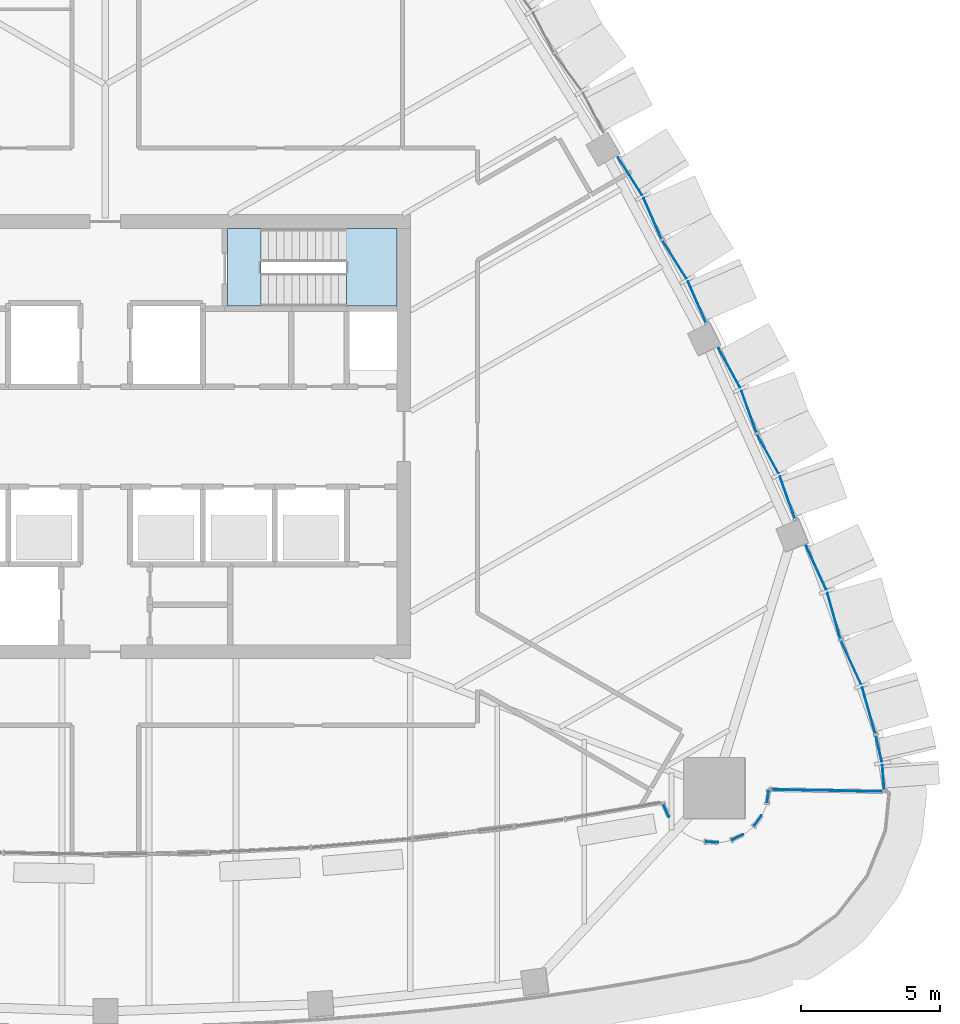
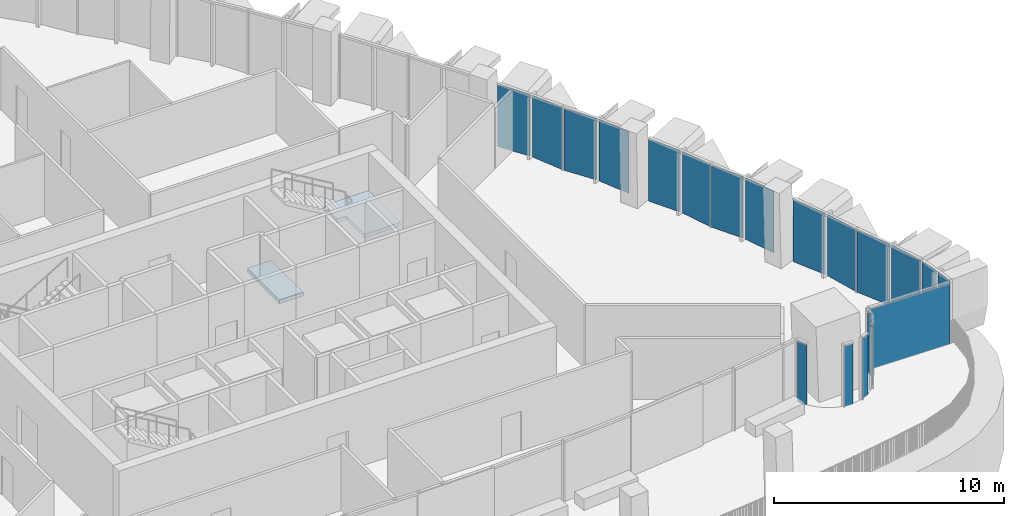
# One storey, part 11 of 22: 20 plates, 2 slabs, 11 elements without a shape of their own.
"""IFC4 building model written with IfcOpenShell, lengths in metres."""

from ifc_helpers import new_model, si_unit, direction, frame, origin, origin_2d, place, context, subcontext, project, spatial, polyline, rectangle, outline, extrude, material, layer, layer_set, type_object, element, aggregate, save


model = new_model("IFC4")

# Units and contexts
model_context = context("Model", 3, precision=1e-05, world=origin(), true_north=direction((0.0, 1.0)))
body_context = subcontext(model_context, "Body", "Model", "MODEL_VIEW")
ifc_project = project(units=[si_unit("LENGTHUNIT", "METRE"), si_unit("AREAUNIT", "SQUARE_METRE"), si_unit("VOLUMEUNIT", "CUBIC_METRE"), si_unit("PLANEANGLEUNIT", "RADIAN"), si_unit("MASSUNIT", "GRAM", prefix="KILO")], contexts=[model_context])

# Site, building, storey
site_placement = place(None, origin())
site = spatial("IfcSite", under=ifc_project, at=site_placement, CompositionType="ELEMENT")
building_placement = place(site_placement, origin())
building = spatial("IfcBuilding", under=site, at=building_placement, Name="Sierra Prisma Convention Tower", CompositionType="ELEMENT")
storey_placement = place(building_placement, frame((0.0, 0.0, 243.0)))
storey = spatial("IfcBuildingStorey", under=building, at=storey_placement, Name="L54", CompositionType="ELEMENT", Elevation=243.0)

# Curtain wall, plates
ifc_material_1 = material(Name="Aluminium and glass curtain wall", Category="aluminium")
ifc_layer_1 = layer(ifc_material_1, 0.179931640625)
ifc_layer_set_1 = layer_set([ifc_layer_1], Name="CW-2 Faceted crystal curtain wall")
curtain_wall_type_1 = type_object("IfcCurtainWallType", Name="CW-2 Faceted crystal curtain wall", PredefinedType="NOTDEFINED", material=ifc_layer_set_1)
curtain_wall_1_placement = place(storey_placement, origin())
curtain_wall_1 = element("IfcCurtainWall", 1, at=curtain_wall_1_placement, inside=storey, type_object=curtain_wall_type_1, Name="CW-2 SE5 L54", PredefinedType="NOTDEFINED")
ifc_material_2 = material(Name="Tinted glass bronze-grey IGU", Category="glass")
ifc_layer_2 = layer(ifc_material_2, 0.028076171875)
ifc_layer_set_2 = layer_set([ifc_layer_2], Name="CW-2 crystal pane")
plate_type_1 = type_object("IfcPlateType", Name="CW-2 crystal pane", PredefinedType="CURTAIN_PANEL", material=ifc_layer_set_2)
plate_1_placement = place(storey_placement, frame((28.067626953125, -12.719482421875, 0.0), z_axis=(0.997419754667, 0.07179020128, 0.0), x_axis=(-0.07179020128, 0.997419754667, 0.0)))
plate_1 = element("IfcPlate", 2, at=plate_1_placement, type_object=plate_type_1, Name="CW-2 pane SE5.1.1", PredefinedType="CURTAIN_PANEL", context=body_context, shape_type="SweptSolid", body=[
    extrude(outline(polyline([(0.0, 0.0), (0.8943976090064018, 0.0), (0.8943976090064018, 3.280029296875), (0.0, 3.280029296875), (0.0, 0.0)])), origin(), (0.0, 0.0, -1.0), 0.028076171875),
])
plate_2_placement = place(storey_placement, frame((27.78125, -10.828125, 0.0), z_axis=(0.973933746598, 0.226832663515, 0.0), x_axis=(0.226832663515, -0.973933746598, 0.0)))
plate_2 = element("IfcPlate", 3, at=plate_2_placement, type_object=plate_type_1, Name="CW-2 pane SE5.1.2", PredefinedType="CURTAIN_PANEL", context=body_context, shape_type="SweptSolid", body=[
    extrude(outline(polyline([(0.0, 0.0), (0.8944076052839673, 0.0), (0.8944076052839673, -3.2800292968749996), (0.0, -3.2800292968749996), (0.0, 0.0)])), origin(), (0.0, 0.0, -1.0), 0.028076171875),
])
aggregate(curtain_wall_1, [plate_1, plate_2])

curtain_wall_2_placement = place(storey_placement, origin())
curtain_wall_2 = element("IfcCurtainWall", 4, at=curtain_wall_2_placement, inside=storey, type_object=curtain_wall_type_1, Name="CW-2 NE1 L54", PredefinedType="NOTDEFINED")
plate_3_placement = place(storey_placement, frame((27.74658203125, -10.693359375, 0.0), z_axis=(0.962612831754, 0.270881036884, 0.0), x_axis=(-0.270881036884, 0.962612831754, 0.0)))
plate_3 = element("IfcPlate", 5, at=plate_3_placement, type_object=plate_type_1, Name="CW-2 pane NE1.1.1", PredefinedType="CURTAIN_PANEL", context=body_context, shape_type="SweptSolid", body=[
    extrude(outline(polyline([(0.0, 0.0), (1.7223528813290765, 0.0), (1.7223528813290765, 3.280029296875001), (0.0, 3.280029296875001), (0.0, 0.0)])), origin(), (0.0, 0.0, -1.0), 0.028076171875),
])
plate_4_placement = place(storey_placement, frame((26.514892578125, -7.349365234375, 0.0), z_axis=(0.908365551734, 0.418177025221, 0.0), x_axis=(0.418177025221, -0.908365551734, 0.0)))
plate_4 = element("IfcPlate", 6, at=plate_4_placement, type_object=plate_type_1, Name="CW-2 pane NE1.1.2", PredefinedType="CURTAIN_PANEL", context=body_context, shape_type="SweptSolid", body=[
    extrude(outline(polyline([(0.0, 0.0), (1.7222726269322473, 0.0), (1.7222726269322473, -3.280029296875), (0.0, -3.280029296875), (0.0, 0.0)])), origin(), (0.0, 0.0, -1.0), 0.028076171875),
])
plate_5_placement = place(storey_placement, frame((26.49072265625, -7.28369140625, 0.0), z_axis=(0.962612831754, 0.270881036884, 0.0), x_axis=(-0.270881036884, 0.962612831754, 0.0)))
plate_5 = element("IfcPlate", 7, at=plate_5_placement, type_object=plate_type_1, Name="CW-2 pane NE1.2.1", PredefinedType="CURTAIN_PANEL", context=body_context, shape_type="SweptSolid", body=[
    extrude(outline(polyline([(0.0, 0.0), (1.7223528813290765, 0.0), (1.7223528813290765, 3.280029296875001), (0.0, 3.280029296875001), (0.0, 0.0)])), origin(), (0.0, 0.0, -1.0), 0.028076171875),
])
plate_6_placement = place(storey_placement, frame((25.25927734375, -3.939697265625, 0.0), z_axis=(0.908365551734, 0.418177025221, 0.0), x_axis=(0.418177025221, -0.908365551734, 0.0)))
plate_6 = element("IfcPlate", 8, at=plate_6_placement, type_object=plate_type_1, Name="CW-2 pane NE1.2.2", PredefinedType="CURTAIN_PANEL", context=body_context, shape_type="SweptSolid", body=[
    extrude(outline(polyline([(0.0, 0.0), (1.7222726269322473, 0.0), (1.7222726269322473, -3.280029296875), (0.0, -3.280029296875), (0.0, 0.0)])), origin(), (0.0, 0.0, -1.0), 0.028076171875),
])
aggregate(curtain_wall_2, [plate_3, plate_4, plate_5, plate_6])

curtain_wall_3_placement = place(storey_placement, origin())
curtain_wall_3 = element("IfcCurtainWall", 9, at=curtain_wall_3_placement, inside=storey, type_object=curtain_wall_type_1, Name="CW-2 NE2 L54", PredefinedType="NOTDEFINED")
plate_7_placement = place(storey_placement, frame((24.848876953125, -2.93701171875, 0.0), z_axis=(0.941893880201, 0.335910581019, 0.0), x_axis=(-0.335910581019, 0.941893880201, 0.0)))
plate_7 = element("IfcPlate", 10, at=plate_7_placement, type_object=plate_type_1, Name="CW-2 pane NE2.1.1", PredefinedType="CURTAIN_PANEL", context=body_context, shape_type="SweptSolid", body=[
    extrude(outline(polyline([(0.0, 0.0), (1.598238533441925, 0.0), (1.598238533441925, 3.280029296875), (0.0, 3.280029296875), (0.0, 0.0)])), origin(), (0.0, 0.0, -1.0), 0.028076171875),
])
plate_8_placement = place(storey_placement, frame((23.492919921875, 0.08984375, 0.0), z_axis=(0.877685375964, 0.479237290722, 0.0), x_axis=(0.479237290722, -0.877685375964, 0.0)))
plate_8 = element("IfcPlate", 11, at=plate_8_placement, type_object=plate_type_1, Name="CW-2 pane NE2.1.2", PredefinedType="CURTAIN_PANEL", context=body_context, shape_type="SweptSolid", body=[
    extrude(outline(polyline([(0.0, 0.0), (1.598609490710926, 0.0), (1.598609490710926, -3.280029296875), (0.0, -3.280029296875), (0.0, 0.0)])), origin(), (0.0, 0.0, -1.0), 0.028076171875),
])
plate_9_placement = place(storey_placement, frame((23.46435546875, 0.153564453125, 0.0), z_axis=(0.941911112852, 0.335862256715, 0.0), x_axis=(-0.335862256715, 0.941911112852, 0.0)))
plate_9 = element("IfcPlate", 12, at=plate_9_placement, type_object=plate_type_1, Name="CW-2 pane NE2.2.1", PredefinedType="CURTAIN_PANEL", context=body_context, shape_type="SweptSolid", body=[
    extrude(outline(polyline([(0.0, 0.0), (1.5984684901062673, 0.0), (1.5984684901062673, 3.280029296875), (0.0, 3.280029296875), (0.0, 0.0)])), origin(), (0.0, 0.0, -1.0), 0.028076171875),
])
plate_10_placement = place(storey_placement, frame((22.1083984375, 3.180419921875, 0.0), z_axis=(0.877685375964, 0.479237290722, 0.0), x_axis=(0.479237290722, -0.877685375964, 0.0)))
plate_10 = element("IfcPlate", 13, at=plate_10_placement, type_object=plate_type_1, Name="CW-2 pane NE2.2.2", PredefinedType="CURTAIN_PANEL", context=body_context, shape_type="SweptSolid", body=[
    extrude(outline(polyline([(0.0, 0.0), (1.598609490710926, 0.0), (1.598609490710926, -3.280029296875), (0.0, -3.280029296875), (0.0, 0.0)])), origin(), (0.0, 0.0, -1.0), 0.028076171875),
])
aggregate(curtain_wall_3, [plate_7, plate_8, plate_9, plate_10])

curtain_wall_4_placement = place(storey_placement, origin())
curtain_wall_4 = element("IfcCurtainWall", 14, at=curtain_wall_4_placement, inside=storey, type_object=curtain_wall_type_1, Name="CW-2 NE3 L54", PredefinedType="NOTDEFINED")
plate_11_placement = place(storey_placement, frame((21.645751953125, 4.12451171875, 0.0), z_axis=(0.916770177759, 0.399415123865, 0.0), x_axis=(-0.399415123865, 0.916770177759, 0.0)))
plate_11 = element("IfcPlate", 15, at=plate_11_placement, type_object=plate_type_1, Name="CW-2 pane NE3.1.1", PredefinedType="CURTAIN_PANEL", context=body_context, shape_type="SweptSolid", body=[
    extrude(outline(polyline([(0.0, 0.0), (1.6063526996480268, 0.0), (1.6063526996480268, 3.280029296875), (0.0, 3.280029296875), (0.0, 0.0)])), origin(), (0.0, 0.0, -1.0), 0.028076171875),
])
plate_12_placement = place(storey_placement, frame((20.078857421875, 7.06591796875, 0.0), z_axis=(0.842966198768, 0.537966530311, 0.0), x_axis=(0.537966530311, -0.842966198768, 0.0)))
plate_12 = element("IfcPlate", 16, at=plate_12_placement, type_object=plate_type_1, Name="CW-2 pane NE3.1.2", PredefinedType="CURTAIN_PANEL", context=body_context, shape_type="SweptSolid", body=[
    extrude(outline(polyline([(0.0, 0.0), (1.6065271049478245, 0.0), (1.6065271049478245, -3.280029296875), (0.0, -3.280029296875), (0.0, 0.0)])), origin(), (0.0, 0.0, -1.0), 0.028076171875),
])
plate_13_placement = place(storey_placement, frame((20.046142578125, 7.127685546875, 0.0), z_axis=(0.91671451981, 0.399542850229, 0.0), x_axis=(-0.399542850229, 0.91671451981, 0.0)))
plate_13 = element("IfcPlate", 17, at=plate_13_placement, type_object=plate_type_1, Name="CW-2 pane NE3.2.1", PredefinedType="CURTAIN_PANEL", context=body_context, shape_type="SweptSolid", body=[
    extrude(outline(polyline([(0.0, 0.0), (1.606450228698072, 0.0), (1.606450228698072, 3.280029296875), (0.0, 3.280029296875), (0.0, 0.0)])), origin(), (0.0, 0.0, -1.0), 0.028076171875),
])
plate_14_placement = place(storey_placement, frame((18.479248046875, 10.06884765625, 0.0), z_axis=(0.842922209578, 0.538035452922, 0.0), x_axis=(0.538035452922, -0.842922209578, 0.0)))
plate_14 = element("IfcPlate", 18, at=plate_14_placement, type_object=plate_type_1, Name="CW-2 pane NE3.2.2", PredefinedType="CURTAIN_PANEL", context=body_context, shape_type="SweptSolid", body=[
    extrude(outline(polyline([(0.0, 0.0), (1.6063213080226335, 0.0), (1.6063213080226335, -3.280029296875), (0.0, -3.280029296875), (0.0, 0.0)])), origin(), (0.0, 0.0, -1.0), 0.028076171875),
])
aggregate(curtain_wall_4, [plate_11, plate_12, plate_13, plate_14])

# Curtain wall, plate
ifc_material_3 = material(Name="Aluminium and glass curtain wall", Category="aluminium")
ifc_layer_3 = layer(ifc_material_3, 0.179931640625)
ifc_layer_set_3 = layer_set([ifc_layer_3], Name="CW-6 Terrace recess curtain wall")
curtain_wall_type_2 = type_object("IfcCurtainWallType", Name="CW-6 Terrace recess curtain wall", PredefinedType="NOTDEFINED", material=ifc_layer_set_3)
curtain_wall_5_placement = place(storey_placement, origin())
curtain_wall_5 = element("IfcCurtainWall", 19, at=curtain_wall_5_placement, inside=storey, type_object=curtain_wall_type_2, Name="CW-6 R12 L54", PredefinedType="NOTDEFINED")
ifc_material_4 = material(Name="Tinted glass bronze-grey IGU", Category="glass")
ifc_layer_4 = layer(ifc_material_4, 0.028076171875)
ifc_layer_set_4 = layer_set([ifc_layer_4], Name="CW-6 glass panel")
plate_type_2 = type_object("IfcPlateType", Name="CW-6 glass panel", PredefinedType="CURTAIN_PANEL", material=ifc_layer_set_4)
plate_15_placement = place(storey_placement, frame((20.2001953125, -13.46923828125, 0.0), z_axis=(0.0, 0.0, 1.0), x_axis=(0.407649929766, -0.913138288958, 0.0)))
plate_15 = element("IfcPlate", 20, at=plate_15_placement, type_object=plate_type_2, Name="CW-6 panel R12.1", PredefinedType="CURTAIN_PANEL", context=body_context, shape_type="SweptSolid", body=[
    extrude(rectangle(XDim=0.505126953125, YDim=0.028076171875, at=origin_2d()), origin(), (0.0, 0.0, 1.0), 3.219970703125),
])
aggregate(curtain_wall_5, [plate_15])

curtain_wall_6_placement = place(storey_placement, origin())
curtain_wall_6 = element("IfcCurtainWall", 21, at=curtain_wall_6_placement, inside=storey, type_object=curtain_wall_type_2, Name="CW-6 R17 L54", PredefinedType="NOTDEFINED")
plate_16_placement = place(storey_placement, frame((21.86279296875, -14.609375, 0.0), z_axis=(0.0, 0.0, 1.0), x_axis=(0.998795456205, -0.049067674327, 0.0)))
plate_16 = element("IfcPlate", 22, at=plate_16_placement, type_object=plate_type_2, Name="CW-6 panel R17.1", PredefinedType="CURTAIN_PANEL", context=body_context, shape_type="SweptSolid", body=[
    extrude(rectangle(XDim=0.433837890625, YDim=0.028076171875, at=origin_2d()), origin(), (0.0, 0.0, 1.0), 3.219970703125),
])
aggregate(curtain_wall_6, [plate_16])

curtain_wall_7_placement = place(storey_placement, origin())
curtain_wall_7 = element("IfcCurtainWall", 23, at=curtain_wall_7_placement, inside=storey, type_object=curtain_wall_type_2, Name="CW-6 R19 L54", PredefinedType="NOTDEFINED")
plate_17_placement = place(storey_placement, frame((22.78466796875, -14.426025390625, 0.0), z_axis=(0.0, 0.0, 1.0), x_axis=(0.903989293123, 0.42755509343, 0.0)))
plate_17 = element("IfcPlate", 24, at=plate_17_placement, type_object=plate_type_2, Name="CW-6 panel R19.1", PredefinedType="CURTAIN_PANEL", context=body_context, shape_type="SweptSolid", body=[
    extrude(rectangle(XDim=0.433837890625, YDim=0.028076171875, at=origin_2d()), origin(), (0.0, 0.0, 1.0), 3.219970703125),
])
aggregate(curtain_wall_7, [plate_17])

curtain_wall_8_placement = place(storey_placement, origin())
curtain_wall_8 = element("IfcCurtainWall", 25, at=curtain_wall_8_placement, inside=storey, type_object=curtain_wall_type_2, Name="CW-6 R21 L54", PredefinedType="NOTDEFINED")
plate_18_placement = place(storey_placement, frame((23.511474609375, -13.82958984375, 0.0), z_axis=(0.0, 0.0, 1.0), x_axis=(0.595699304492, 0.803207531481, 0.0)))
plate_18 = element("IfcPlate", 26, at=plate_18_placement, type_object=plate_type_2, Name="CW-6 panel R21.1", PredefinedType="CURTAIN_PANEL", context=body_context, shape_type="SweptSolid", body=[
    extrude(rectangle(XDim=0.433837890625, YDim=0.028076171875, at=origin_2d()), origin(), (0.0, 0.0, 1.0), 3.219970703125),
])
aggregate(curtain_wall_8, [plate_18])

curtain_wall_9_placement = place(storey_placement, origin())
curtain_wall_9 = element("IfcCurtainWall", 27, at=curtain_wall_9_placement, inside=storey, type_object=curtain_wall_type_2, Name="CW-6 R23 L54", PredefinedType="NOTDEFINED")
plate_19_placement = place(storey_placement, frame((23.86865234375, -12.978759765625, 0.0), z_axis=(0.0, 0.0, 1.0), x_axis=(0.146730474455, 0.989176509965, 0.0)))
plate_19 = element("IfcPlate", 28, at=plate_19_placement, type_object=plate_type_2, Name="CW-6 panel R23.1", PredefinedType="CURTAIN_PANEL", context=body_context, shape_type="SweptSolid", body=[
    extrude(rectangle(XDim=0.39794921875, YDim=0.028076171875, at=origin_2d()), origin(), (0.0, 0.0, 1.0), 3.219970703125),
])
aggregate(curtain_wall_9, [plate_19])

curtain_wall_10_placement = place(storey_placement, origin())
curtain_wall_10 = element("IfcCurtainWall", 29, at=curtain_wall_10_placement, inside=storey, type_object=curtain_wall_type_2, Name="CW-6 RT2 L54", PredefinedType="NOTDEFINED")
plate_20_placement = place(storey_placement, frame((25.992919921875, -12.750732421875, 0.0), z_axis=(0.0, 0.0, 1.0), x_axis=(0.999834440656, -0.018195913791, 0.0)))
plate_20 = element("IfcPlate", 30, at=plate_20_placement, type_object=plate_type_2, Name="CW-6 panel RT2.1", PredefinedType="CURTAIN_PANEL", context=body_context, shape_type="SweptSolid", body=[
    extrude(rectangle(XDim=4.03076171875, YDim=0.028076171875, at=origin_2d()), origin(), (0.0, 0.0, 1.0), 3.219970703125),
])
aggregate(curtain_wall_10, [plate_20])

# Stair, slab
ifc_material_5 = material(Name="Concrete C30/37", Category="concrete")
stair_type = type_object("IfcStairType", Name="Stair dog-leg 1200 RC", PredefinedType="HALF_TURN_STAIR", material=ifc_material_5)
stair_placement = place(storey_placement, origin())
stair = element("IfcStair", 31, at=stair_placement, inside=storey, type_object=stair_type, Name="L54 S4", PredefinedType="HALF_TURN_STAIR")
ifc_material_6 = material(Name="Concrete C35/45", Category="concrete")
ifc_layer_5 = layer(ifc_material_6, 0.199951171875)
ifc_layer_set_5 = layer_set([ifc_layer_5], Name="Stair landing slab")
slab_type = type_object("IfcSlabType", Name="Stair landing slab", PredefinedType="LANDING", material=ifc_layer_set_5)
slab_1_placement = place(storey_placement, frame((0.0, 0.0, 1.800048828125)))
slab_1 = element("IfcSlab", 32, at=slab_1_placement, type_object=slab_type, Name="S4 landing 1", PredefinedType="LANDING", context=body_context, shape_type="SweptSolid", body=[
    extrude(outline(polyline([(10.5, 7.5), (10.5, 4.699951171875), (8.677978515625, 4.699951171875), (8.677978515625, 6.300048828125), (8.22998046875, 6.300048828125), (8.22998046875, 7.5), (10.5, 7.5)])), origin(), (0.0, 0.0, 1.0), 0.199951171875),
])
aggregate(stair, [slab_1])

# Slab
slab_2_placement = place(storey_placement, frame((0.0, 0.0, -0.199951171875)))
element("IfcSlab", 33, at=slab_2_placement, inside=storey, type_object=slab_type, Name="S4 floor landing L54", PredefinedType="LANDING", context=body_context, shape_type="SweptSolid", body=[
    extrude(outline(polyline([(4.39990234375, 4.699951171875), (5.60205078125, 4.699951171875), (5.60205078125, 7.5), (4.39990234375, 7.5), (4.39990234375, 4.699951171875)])), origin(), (0.0, 0.0, 1.0), 0.199951171875),
])

save(model, "model.ifc")
